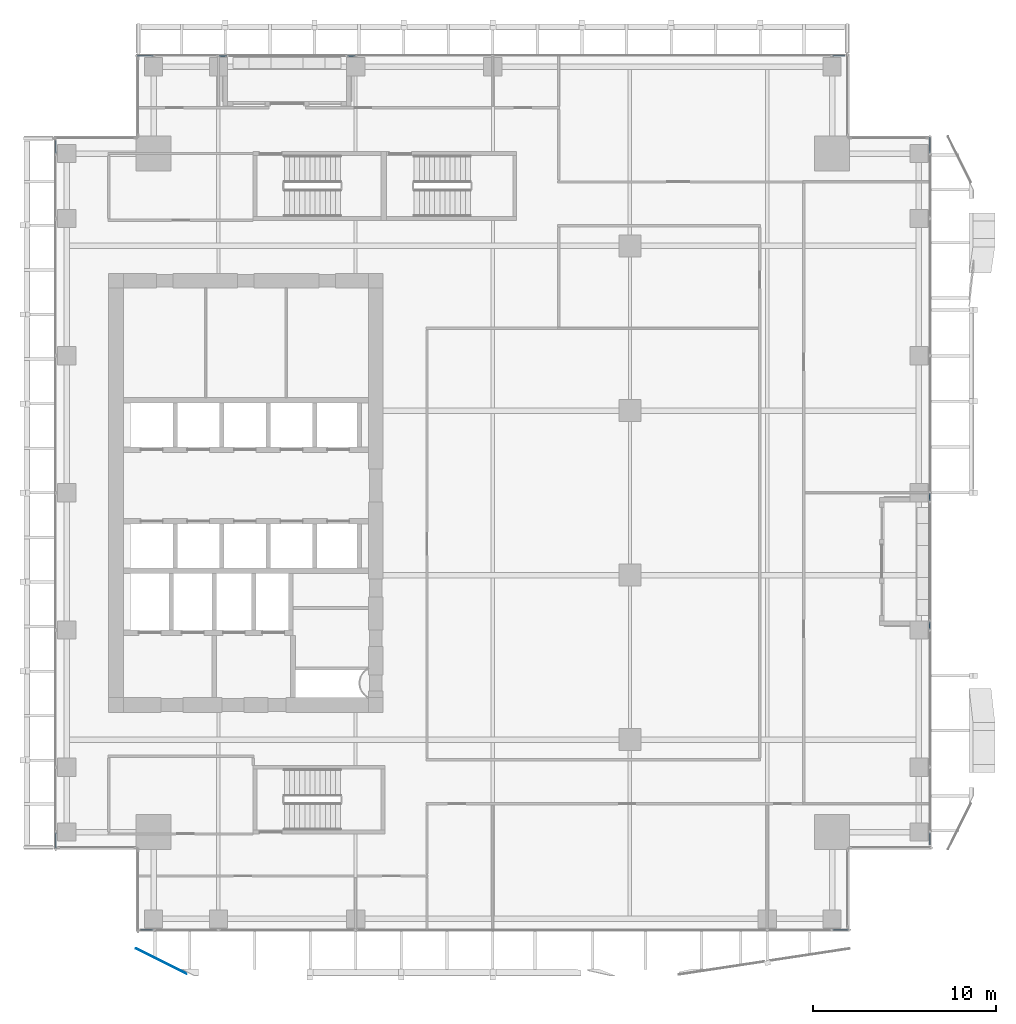
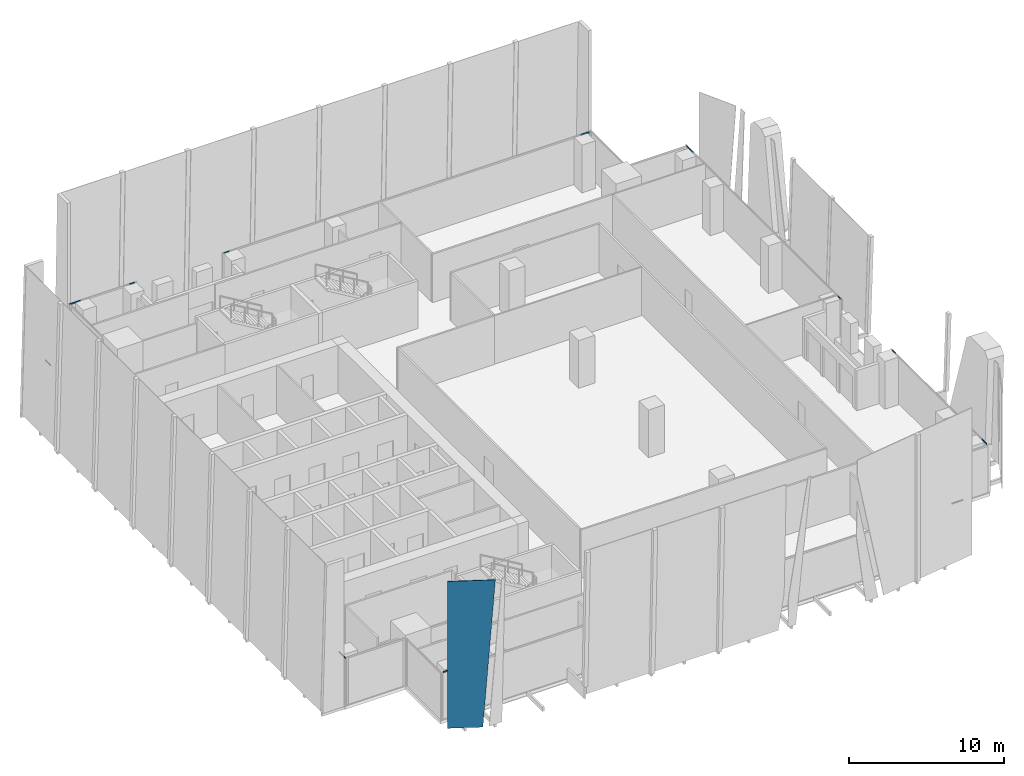
# One storey, part 22 of 35: 12 members, 1 plate, 6 elements without a shape of their own.
"""IFC4 building model written with IfcOpenShell, lengths in metres."""

from ifc_helpers import new_model, si_unit, direction, frame, origin, origin_2d, place, context, subcontext, project, spatial, polyline, hollow_rectangle, outline, extrude, source, transform, mapped, material, layer, layer_set, material_profile, profile_set, type_object, element, aggregate, save


model = new_model("IFC4")

# Units and contexts
model_context = context("Model", 3, precision=1e-05, world=origin(), true_north=direction((0.0, 1.0)))
body_context = subcontext(model_context, "Body", "Model", "MODEL_VIEW")
ifc_project = project(units=[si_unit("LENGTHUNIT", "METRE"), si_unit("AREAUNIT", "SQUARE_METRE"), si_unit("VOLUMEUNIT", "CUBIC_METRE"), si_unit("PLANEANGLEUNIT", "RADIAN"), si_unit("MASSUNIT", "GRAM", prefix="KILO")], contexts=[model_context])

# Site, building, storey
site_placement = place(None, origin())
site = spatial("IfcSite", under=ifc_project, at=site_placement, CompositionType="ELEMENT")
building_placement = place(site_placement, origin())
building = spatial("IfcBuilding", under=site, at=building_placement, Name="Khomas Fold Tower", CompositionType="ELEMENT")
storey_placement = place(building_placement, frame((0.0, 0.0, 200.699951171875)))
storey = spatial("IfcBuildingStorey", under=building, at=storey_placement, Name="L44", CompositionType="ELEMENT", Elevation=200.699951171875)

# Curtain wall, member
ifc_material_1 = material(Name="Aluminium framed double glazing", Category="aluminium")
curtain_wall_type = type_object("IfcCurtainWallType", Name="SK-Unitised clear-glass wall, office floors CW2", PredefinedType="NOTDEFINED", material=ifc_material_1)
curtain_wall_1_placement = place(storey_placement, origin())
curtain_wall_1 = element("IfcCurtainWall", 1, at=curtain_wall_1_placement, inside=storey, type_object=curtain_wall_type, Name="CW2 run L44 00-0", PredefinedType="NOTDEFINED")
ifc_material_2 = material(Name="Aluminium", Category="aluminium")
ifc_material_profile = material_profile(ifc_material_2, hollow_rectangle(XDim=0.050048828125, YDim=0.110107421875, WallThickness=0.00390625, at=origin_2d()), Name="SK-Unitised clear-glass wall, office floors transom CW2-T")
ifc_profile_set = profile_set([ifc_material_profile], Name="Aluminium")
member_type = type_object("IfcMemberType", Name="SK-Unitised clear-glass wall, office floors transom CW2-T", PredefinedType="USERDEFINED", material=ifc_profile_set)
shared_shape_1 = source(origin(), body_context, "Body", "SweptSolid", [
    extrude(hollow_rectangle(XDim=0.050048828125, YDim=0.110107421875, WallThickness=0.00390625, at=origin_2d()), origin(), (0.0, 0.0, 1.0), 0.659912109375),
])
member_1_placement = place(storey_placement, frame((7.760009765625, 3.10009765625, 3.695068359375), z_axis=(1.0, 0.0, 0.0), x_axis=(0.0, 1.0, 0.0)))
member_1 = element("IfcMember", 2, at=member_1_placement, type_object=member_type, Name="CW2 transom 1", ObjectType="TRANSOM", PredefinedType="USERDEFINED", context=body_context, shape_type="MappedRepresentation", body=[
    mapped(shared_shape_1, transform((0.0, 0.0, 0.0))),
])

curtain_wall_2_placement = place(storey_placement, origin())
curtain_wall_2 = element("IfcCurtainWall", 3, at=curtain_wall_2_placement, inside=storey, type_object=curtain_wall_type, Name="CW2 run L44 03-0", PredefinedType="NOTDEFINED")
member_2_placement = place(storey_placement, frame((50.89990234375, 7.760009765625, 3.695068359375), z_axis=(0.0, 1.0, 0.0), x_axis=(-1.0, 0.0, 0.0)))
member_2 = element("IfcMember", 4, at=member_2_placement, type_object=member_type, Name="CW2 transom 1", ObjectType="TRANSOM", PredefinedType="USERDEFINED", context=body_context, shape_type="MappedRepresentation", body=[
    mapped(shared_shape_1, transform((0.0, 0.0, 0.0))),
])

curtain_wall_3_placement = place(storey_placement, origin())
curtain_wall_3 = element("IfcCurtainWall", 5, at=curtain_wall_3_placement, inside=storey, type_object=curtain_wall_type, Name="CW2 run L44 06-0", PredefinedType="NOTDEFINED")
member_3_placement = place(storey_placement, frame((46.239990234375, 50.89990234375, 3.695068359375), z_axis=(-1.0, 0.0, 0.0), x_axis=(0.0, -1.0, 0.0)))
member_3 = element("IfcMember", 6, at=member_3_placement, type_object=member_type, Name="CW2 transom 1", ObjectType="TRANSOM", PredefinedType="USERDEFINED", context=body_context, shape_type="MappedRepresentation", body=[
    mapped(shared_shape_1, transform((0.0, 0.0, 0.0))),
])

curtain_wall_4_placement = place(storey_placement, origin())
curtain_wall_4 = element("IfcCurtainWall", 7, at=curtain_wall_4_placement, inside=storey, type_object=curtain_wall_type, Name="CW2 run L44 09-0", PredefinedType="NOTDEFINED")
member_4_placement = place(storey_placement, frame((3.10009765625, 46.239990234375, 3.695068359375), z_axis=(0.0, -1.0, 0.0), x_axis=(1.0, 0.0, 0.0)))
member_4 = element("IfcMember", 8, at=member_4_placement, type_object=member_type, Name="CW2 transom 1", ObjectType="TRANSOM", PredefinedType="USERDEFINED", context=body_context, shape_type="MappedRepresentation", body=[
    mapped(shared_shape_1, transform((0.0, 0.0, 0.0))),
])

# Member
shared_shape_2 = source(origin(), body_context, "Body", "SweptSolid", [
    extrude(hollow_rectangle(XDim=0.050048828125, YDim=0.110107421875, WallThickness=0.00390625, at=origin_2d()), origin(), (0.0, 0.0, 1.0), 0.409912109375),
])
member_5_placement = place(storey_placement, frame((50.89990234375, 19.530029296875, 3.695068359375), z_axis=(0.0, 1.0, 0.0), x_axis=(-1.0, 0.0, 0.0)))
member_5 = element("IfcMember", 9, at=member_5_placement, type_object=member_type, Name="CW2 transom 4", ObjectType="TRANSOM", PredefinedType="USERDEFINED", context=body_context, shape_type="MappedRepresentation", body=[
    mapped(shared_shape_2, transform((0.0, 0.0, 0.0))),
])

aggregate(curtain_wall_2, [member_2, member_5])

# Curtain wall, member
curtain_wall_5_placement = place(storey_placement, origin())
curtain_wall_5 = element("IfcCurtainWall", 10, at=curtain_wall_5_placement, inside=storey, type_object=curtain_wall_type, Name="CW2 run L44 03-1", PredefinedType="NOTDEFINED")
member_6_placement = place(storey_placement, frame((50.89990234375, 26.56005859375, 3.695068359375), z_axis=(0.0, 1.0, 0.0), x_axis=(-1.0, 0.0, 0.0)))
member_6 = element("IfcMember", 11, at=member_6_placement, type_object=member_type, Name="CW2 transom 1", ObjectType="TRANSOM", PredefinedType="USERDEFINED", context=body_context, shape_type="MappedRepresentation", body=[
    mapped(shared_shape_2, transform((0.0, 0.0, 0.0))),
])

# Member
member_7_placement = place(storey_placement, frame((19.469970703125, 50.89990234375, 3.695068359375), z_axis=(-1.0, 0.0, 0.0), x_axis=(0.0, -1.0, 0.0)))
member_7 = element("IfcMember", 12, at=member_7_placement, type_object=member_type, Name="CW2 transom 4", ObjectType="TRANSOM", PredefinedType="USERDEFINED", context=body_context, shape_type="MappedRepresentation", body=[
    mapped(shared_shape_2, transform((0.0, 0.0, 0.0))),
])

aggregate(curtain_wall_3, [member_3, member_7])

# Curtain wall, member
curtain_wall_6_placement = place(storey_placement, origin())
curtain_wall_6 = element("IfcCurtainWall", 13, at=curtain_wall_6_placement, inside=storey, type_object=curtain_wall_type, Name="CW2 run L44 06-1", PredefinedType="NOTDEFINED")
member_8_placement = place(storey_placement, frame((12.43994140625, 50.89990234375, 3.695068359375), z_axis=(-1.0, 0.0, 0.0), x_axis=(0.0, -1.0, 0.0)))
member_8 = element("IfcMember", 14, at=member_8_placement, type_object=member_type, Name="CW2 transom 1", ObjectType="TRANSOM", PredefinedType="USERDEFINED", context=body_context, shape_type="MappedRepresentation", body=[
    mapped(shared_shape_2, transform((0.0, 0.0, 0.0))),
])

# Member
shared_shape_3 = source(origin(), body_context, "Body", "SweptSolid", [
    extrude(hollow_rectangle(XDim=0.050048828125, YDim=0.110107421875, WallThickness=0.00390625, at=origin_2d()), origin(), (0.0, 0.0, 1.0), 0.85986328125),
])
member_9_placement = place(storey_placement, frame((45.580078125, 3.10009765625, 3.695068359375), z_axis=(1.0, 0.0, 0.0), x_axis=(0.0, 1.0, 0.0)))
member_9 = element("IfcMember", 15, at=member_9_placement, type_object=member_type, Name="CW2 transom 6", ObjectType="TRANSOM", PredefinedType="USERDEFINED", context=body_context, shape_type="MappedRepresentation", body=[
    mapped(shared_shape_3, transform((0.0, 0.0, 0.0))),
])

aggregate(curtain_wall_1, [member_1, member_9])

member_10_placement = place(storey_placement, frame((50.89990234375, 45.580078125, 3.695068359375), z_axis=(0.0, 1.0, 0.0), x_axis=(-1.0, 0.0, 0.0)))
member_10 = element("IfcMember", 16, at=member_10_placement, type_object=member_type, Name="CW2 transom 5", ObjectType="TRANSOM", PredefinedType="USERDEFINED", context=body_context, shape_type="MappedRepresentation", body=[
    mapped(shared_shape_3, transform((0.0, 0.0, 0.0))),
])

aggregate(curtain_wall_5, [member_6, member_10])

member_11_placement = place(storey_placement, frame((8.419921875, 50.89990234375, 3.695068359375), z_axis=(-1.0, 0.0, 0.0), x_axis=(0.0, -1.0, 0.0)))
member_11 = element("IfcMember", 17, at=member_11_placement, type_object=member_type, Name="CW2 transom 3", ObjectType="TRANSOM", PredefinedType="USERDEFINED", context=body_context, shape_type="MappedRepresentation", body=[
    mapped(shared_shape_3, transform((0.0, 0.0, 0.0))),
])

aggregate(curtain_wall_6, [member_8, member_11])

member_12_placement = place(storey_placement, frame((3.10009765625, 8.419921875, 3.695068359375), z_axis=(0.0, -1.0, 0.0), x_axis=(1.0, 0.0, 0.0)))
member_12 = element("IfcMember", 18, at=member_12_placement, type_object=member_type, Name="CW2 transom 8", ObjectType="TRANSOM", PredefinedType="USERDEFINED", context=body_context, shape_type="MappedRepresentation", body=[
    mapped(shared_shape_3, transform((0.0, 0.0, 0.0))),
])

aggregate(curtain_wall_4, [member_4, member_12])

# Plate
ifc_material_3 = material(Name="Clear laminated glass", Category="glass")
ifc_layer = layer(ifc_material_3, 0.0400390625)
ifc_layer_set = layer_set([ifc_layer], Name="Clear laminated glass")
plate_type = type_object("IfcPlateType", Name="SK-Clear laminated glass leaf", PredefinedType="SHEET", material=ifc_layer_set)
plate_placement = place(storey_placement, frame((9.53564453125, 1.037353515625, 0.0), z_axis=(-0.447249762101, -0.894409106784, 1.415251e-06), x_axis=(-0.894409106785, 0.447249762102, 1e-11)))
element("IfcPlate", 19, at=plate_placement, inside=storey, type_object=plate_type, Name="OUTER SKIN glass L44 SG099-2", PredefinedType="SHEET", context=body_context, shape_type="SweptSolid", body=[
    extrude(outline(polyline([(0.0, 0.0), (2.295900267716927, 0.0), (2.2959002678333076, -11.550048828113434), (-0.8085001639387559, -11.55004882816785), (0.0, 0.0)])), origin(), (0.0, 0.0, -1.0), 0.0400390625),
])

save(model, "model.ifc")
